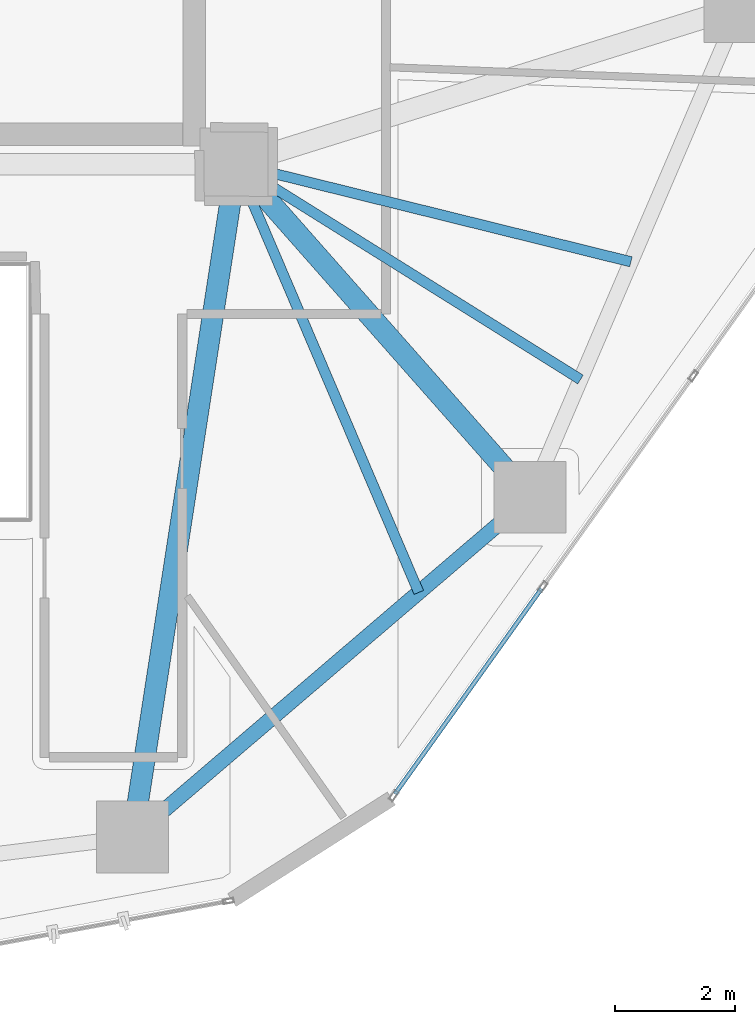
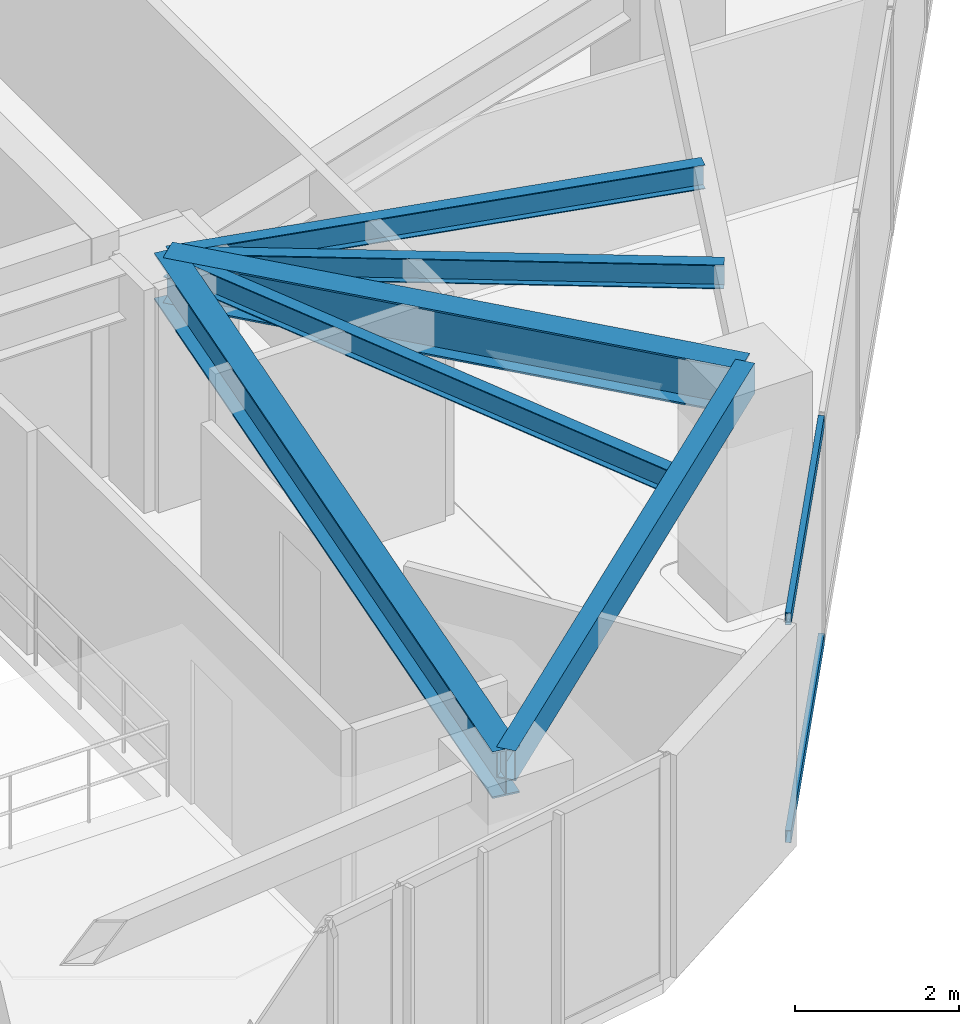
# One storey, part 7 of 22: 6 beams, 2 members, 1 element without a shape of its own.
"""IFC4 building model written with IfcOpenShell, lengths in metres."""

from ifc_helpers import new_model, si_unit, direction, frame, origin, origin_2d, place, context, subcontext, project, spatial, hollow_rectangle, i_section, extrude, source, transform, mapped, material, layer, layer_set, material_profile, profile_set, type_object, type_shapes, element, aggregate, save


model = new_model("IFC4")

# Units and contexts
model_context = context("Model", 3, precision=1e-05, world=origin(), true_north=direction((0.0, 1.0)))
body_context = subcontext(model_context, "Body", "Model", "MODEL_VIEW")
ifc_project = project(units=[si_unit("LENGTHUNIT", "METRE"), si_unit("AREAUNIT", "SQUARE_METRE"), si_unit("VOLUMEUNIT", "CUBIC_METRE"), si_unit("PLANEANGLEUNIT", "RADIAN"), si_unit("MASSUNIT", "GRAM", prefix="KILO")], contexts=[model_context])

# Site, building, storey
site_placement = place(None, origin())
site = spatial("IfcSite", under=ifc_project, at=site_placement, CompositionType="ELEMENT")
building_placement = place(site_placement, origin())
building = spatial("IfcBuilding", under=site, at=building_placement, Name="Talar Marvaseh", CompositionType="ELEMENT")
storey_placement = place(building_placement, frame((0.0, 0.0, 121.800048828125)))
storey = spatial("IfcBuildingStorey", under=building, at=storey_placement, Name="L31", CompositionType="ELEMENT", Elevation=121.800048828125)

# Beams
ifc_material_1 = material(Name="Steel S355", Category="steel")
ifc_material_profile_1 = material_profile(ifc_material_1, hollow_rectangle(XDim=0.25, YDim=0.449951171875, WallThickness=0.01611328125, at=origin_2d()), Name="RHS450x250x16")
ifc_profile_set_1 = profile_set([ifc_material_profile_1], Name="Steel S355")
beam_type_1 = type_object("IfcBeamType", Name="Zone 2 Perimeter Spandrel Beam RHS450x250x16", PredefinedType="SPANDREL", material=ifc_profile_set_1)
beam_1_placement = place(storey_placement, frame((38.2060546875, 19.94091796875, 3.0849609375), z_axis=(-0.76011265597, -0.649791312833, 0.0), x_axis=(0.649791312833, -0.76011265597, 0.0)))
element("IfcBeam", 1, at=beam_1_placement, inside=storey, type_object=beam_type_1, Name="L31 Zone 2 Perimeter Spandrel Beam RHS450x250x16", PredefinedType="SPANDREL", context=body_context, shape_type="SweptSolid", body=[
    extrude(hollow_rectangle(XDim=0.25, YDim=0.449951171875, WallThickness=0.01611328125, at=origin_2d()), origin(), (0.0, 0.0, 1.0), 8.730224609375),
])
ifc_material_profile_2 = material_profile(ifc_material_1, i_section(OverallWidth=0.35498046875, OverallDepth=0.695068359375, WebThickness=0.015380859375, FlangeThickness=0.02490234375, at=origin_2d()), Name="W690x217")
ifc_profile_set_2 = profile_set([ifc_material_profile_2], Name="Steel S355")
beam_type_2 = type_object("IfcBeamType", Name="Zone 2 Radial Floor Girder W690x217", PredefinedType="BEAM", material=ifc_profile_set_2)
beam_2_placement = place(storey_placement, frame((38.2060546875, 19.94091796875, 2.96240234375), z_axis=(-0.661692423388, 0.749775390921, 0.0), x_axis=(-0.749775390921, -0.661692423388, 0.0)))
element("IfcBeam", 2, at=beam_2_placement, inside=storey, type_object=beam_type_2, Name="L31 Zone 2 Radial Floor Girder W690x217", PredefinedType="BEAM", context=body_context, shape_type="SweptSolid", body=[
    extrude(i_section(OverallWidth=0.35498046875, OverallDepth=0.695068359375, WebThickness=0.015380859375, FlangeThickness=0.02490234375, at=origin_2d()), origin(), (0.0, 0.0, 1.0), 7.414306640625),
])
beam_3_placement = place(storey_placement, frame((31.570068359375, 14.26806640625, 2.96240234375), z_axis=(0.152228300633, 0.98834535689, 0.0), x_axis=(-0.98834535689, 0.152228300633, 0.0)))
element("IfcBeam", 3, at=beam_3_placement, inside=storey, type_object=beam_type_2, Name="L31 Zone 2 Radial Floor Girder W690x217", PredefinedType="BEAM", context=body_context, shape_type="SweptSolid", body=[
    extrude(i_section(OverallWidth=0.35498046875, OverallDepth=0.695068359375, WebThickness=0.015380859375, FlangeThickness=0.02490234375, at=origin_2d()), origin(), (0.0, 0.0, 1.0), 11.364501953125),
])
ifc_material_profile_3 = material_profile(ifc_material_1, i_section(OverallWidth=0.172119140625, OverallDepth=0.35791015625, WebThickness=0.0078125, FlangeThickness=0.01318359375, at=origin_2d()), Name="W360x57")
ifc_profile_set_3 = profile_set([ifc_material_profile_3], Name="Steel S355")
beam_type_3 = type_object("IfcBeamType", Name="Zone 2 Secondary Floor Joist W360x57", PredefinedType="JOIST", material=ifc_profile_set_3)
beam_4_placement = place(storey_placement, frame((39.887451171875, 23.870849609375, 3.130859375), z_axis=(-0.970753133019, 0.240079892396, 0.0), x_axis=(-0.240079892396, -0.970753133019, 0.0)))
element("IfcBeam", 4, at=beam_4_placement, inside=storey, type_object=beam_type_3, Name="L31 Zone 2 Secondary Floor Joist W360x57", PredefinedType="JOIST", context=body_context, shape_type="SweptSolid", body=[
    extrude(i_section(OverallWidth=0.172119140625, OverallDepth=0.35791015625, WebThickness=0.0078125, FlangeThickness=0.01318359375, at=origin_2d()), origin(), (0.0, 0.0, 1.0), 6.785888671875),
])
beam_5_placement = place(storey_placement, frame((39.046630859375, 21.906005859375, 3.130859375), z_axis=(-0.84784042564, 0.530251461715, 0.0), x_axis=(-0.530251461715, -0.84784042564, 0.0)))
element("IfcBeam", 5, at=beam_5_placement, inside=storey, type_object=beam_type_3, Name="L31 Zone 2 Secondary Floor Joist W360x57", PredefinedType="JOIST", context=body_context, shape_type="SweptSolid", body=[
    extrude(i_section(OverallWidth=0.172119140625, OverallDepth=0.35791015625, WebThickness=0.0078125, FlangeThickness=0.01318359375, at=origin_2d()), origin(), (0.0, 0.0, 1.0), 6.77783203125),
])
beam_6_placement = place(storey_placement, frame((36.347900390625, 18.3525390625, 3.130859375), z_axis=(-0.39225012708, 0.919858596636, 0.0), x_axis=(-0.919858596636, -0.39225012708, 0.0)))
element("IfcBeam", 6, at=beam_6_placement, inside=storey, type_object=beam_type_3, Name="L31 Zone 2 Secondary Floor Joist W360x57", PredefinedType="JOIST", context=body_context, shape_type="SweptSolid", body=[
    extrude(i_section(OverallWidth=0.172119140625, OverallDepth=0.35791015625, WebThickness=0.0078125, FlangeThickness=0.01318359375, at=origin_2d()), origin(), (0.0, 0.0, 1.0), 7.770263671875),
])

# Curtain wall, members
ifc_material_2 = material(Name="Architectural Aluminium", Category="aluminium")
ifc_layer = layer(ifc_material_2, 0.199951171875)
ifc_layer_set = layer_set([ifc_layer], Name="Architectural Aluminium")
curtain_wall_type = type_object("IfcCurtainWallType", Name="Unitised Acoustic Library Curtain Wall Z2", PredefinedType="NOTDEFINED", material=ifc_layer_set)
curtain_wall_placement = place(storey_placement, origin())
curtain_wall = element("IfcCurtainWall", 7, at=curtain_wall_placement, inside=storey, type_object=curtain_wall_type, Name="L31 Unitised Acoustic Library Curtain Wall Z2", PredefinedType="NOTDEFINED")
ifc_material_profile_4 = material_profile(ifc_material_2, hollow_rectangle(XDim=0.074951171875, YDim=0.179931640625, WallThickness=0.0048828125, at=origin_2d()), Name="RHS180x75x5")
ifc_profile_set_4 = profile_set([ifc_material_profile_4], Name="Architectural Aluminium")
member_type = type_object("IfcMemberType", Name="Unitised Curtain Wall Transom RHS180x75x5", PredefinedType="USERDEFINED", material=ifc_profile_set_4)
shared_shape = source(origin(), body_context, "Body", "SweptSolid", [
    extrude(hollow_rectangle(XDim=0.074951171875, YDim=0.179931640625, WallThickness=0.0048828125, at=origin_2d()), origin(), (0.0, 0.0, 1.0), 4.2109375),
])
type_shapes(member_type, [shared_shape])
member_1_placement = place(storey_placement, frame((38.39599609375, 18.416748046875, 0.037353515625), z_axis=(-0.580804857292, -0.814042823042, 0.0), x_axis=(0.814042823042, -0.580804857292, 0.0)))
member_1 = element("IfcMember", 8, at=member_1_placement, type_object=member_type, Name="CW-Z2 transom 5.1", ObjectType="TRANSOM", PredefinedType="USERDEFINED", context=body_context, shape_type="MappedRepresentation", body=[
    mapped(shared_shape, transform((0.0, 0.0, 0.0), x_axis=(1.0, 0.0, 0.0), y_axis=(0.0, 1.0, 0.0), z_axis=(0.0, 0.0, 1.0), scale=1.0)),
])
member_2_placement = place(storey_placement, frame((38.39599609375, 18.416748046875, 3.2724609375), z_axis=(-0.580804857292, -0.814042823042, 0.0), x_axis=(0.814042823042, -0.580804857292, 0.0)))
member_2 = element("IfcMember", 9, at=member_2_placement, type_object=member_type, Name="CW-Z2 transom 5.2", ObjectType="TRANSOM", PredefinedType="USERDEFINED", context=body_context, shape_type="MappedRepresentation", body=[
    mapped(shared_shape, transform((0.0, 0.0, 0.0), x_axis=(1.0, 0.0, 0.0), y_axis=(0.0, 1.0, 0.0), z_axis=(0.0, 0.0, 1.0), scale=1.0)),
])
aggregate(curtain_wall, [member_1, member_2])

save(model, "model.ifc")
